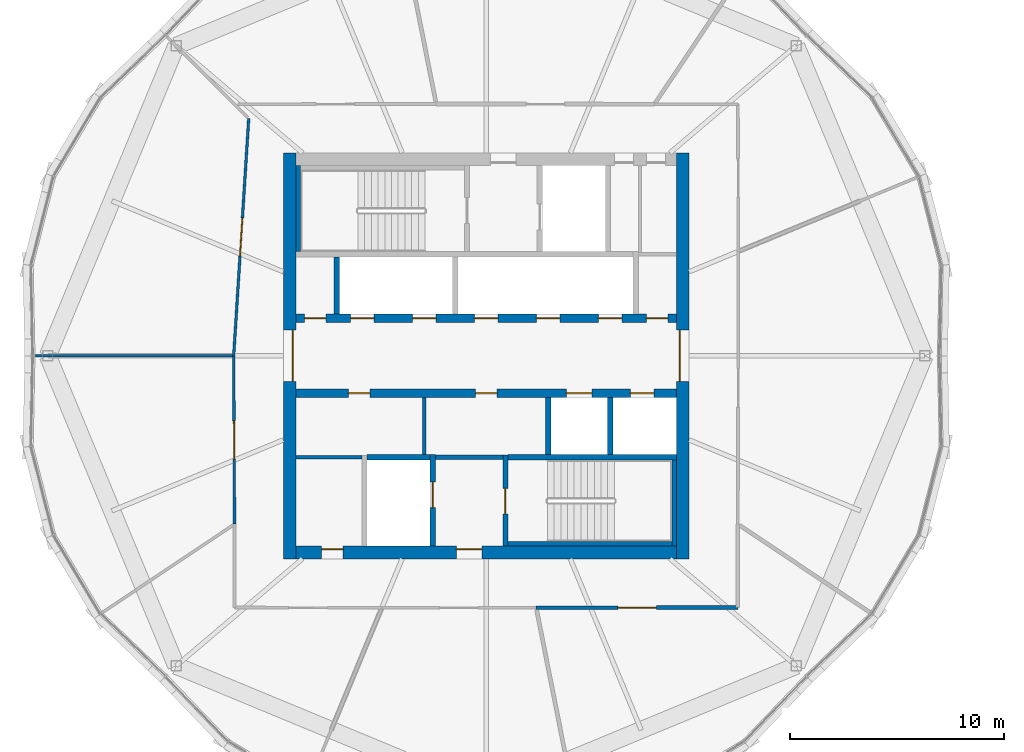
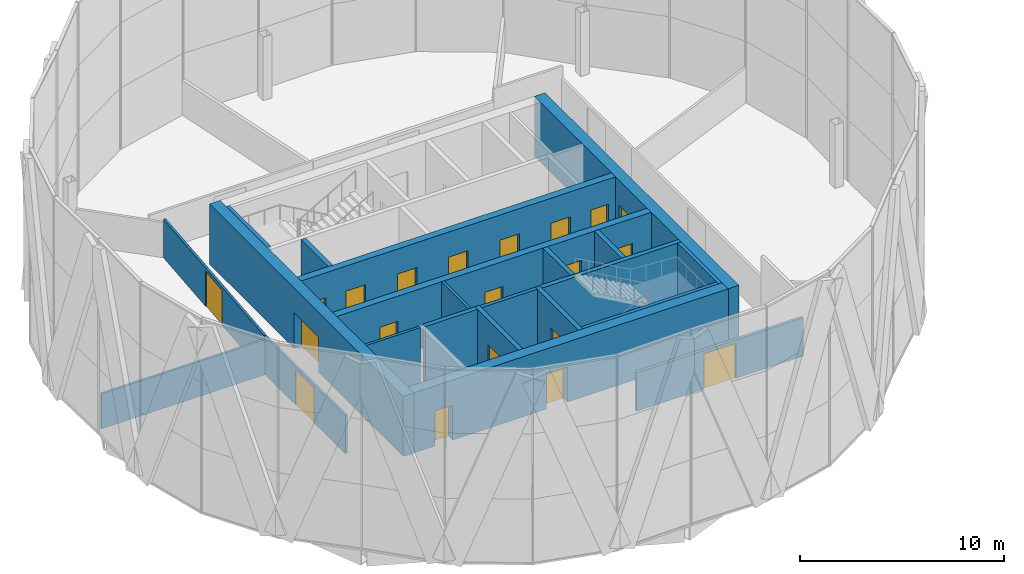
# One storey, part 19 of 25: 22 walls, 20 doors, 20 openings.
"""IFC4 building model written with IfcOpenShell, lengths in metres."""

from ifc_helpers import new_model, si_unit, direction, frame, frame_2d, origin, place, context, subcontext, project, spatial, rectangle, extrude, material, layer, layer_set, type_object, element, fill, save


model = new_model("IFC4")

# Units and contexts
model_context = context("Model", 3, precision=1e-05, world=origin(), true_north=direction((0.0, 1.0)))
body_context = subcontext(model_context, "Body", "Model", "MODEL_VIEW")
ifc_project = project(units=[si_unit("LENGTHUNIT", "METRE"), si_unit("AREAUNIT", "SQUARE_METRE"), si_unit("VOLUMEUNIT", "CUBIC_METRE"), si_unit("PLANEANGLEUNIT", "RADIAN"), si_unit("MASSUNIT", "GRAM", prefix="KILO")], contexts=[model_context])

# Site, building, storey
site_placement = place(None, origin())
site = spatial("IfcSite", under=ifc_project, at=site_placement, CompositionType="ELEMENT")
building_placement = place(site_placement, origin())
building = spatial("IfcBuilding", under=site, at=building_placement, Name="Ogive Gate Towers", CompositionType="ELEMENT")
storey_placement = place(building_placement, frame((0.0, 0.0, 196.800048828125)))
storey = spatial("IfcBuildingStorey", under=building, at=storey_placement, Name="L47", CompositionType="ELEMENT", Elevation=196.800048828125)

# Wall, opening, door
ifc_material_1 = material(Name="Gypsum board acoustic partition")
ifc_layer_1 = layer(ifc_material_1, 0.175048828125)
ifc_layer_set_1 = layer_set([ifc_layer_1], Name="Acoustic partition 175")
wall_type_1 = type_object("IfcWallType", Name="Acoustic partition 175", PredefinedType="PARTITIONING", material=ifc_layer_set_1)
wall_1_placement = place(storey_placement, frame((-33.659423828125, -11.79052734375, 0.0), z_axis=(0.0, 0.0, 1.0), x_axis=(0.999999381567, 0.001112144977, 0.0)))
wall_1 = element("IfcWall", 1, at=wall_1_placement, inside=storey, type_object=wall_type_1, Name="Partition T1-L47-014", PredefinedType="PARTITIONING", context=body_context, shape_type="SweptSolid", body=[
    extrude(rectangle(XDim=9.439453125, YDim=0.175048828125, at=frame_2d((4.7197265625, 0.0))), origin(), (0.0, 0.0, 1.0), 2.300048828125),
])
opening_1_placement = place(wall_1_placement, frame((3.820068359375, 0.0, 0.0)))
opening_1 = element("IfcOpeningElement", 2, at=opening_1_placement, cuts=wall_1, Name="Opening T1-L47-D04", PredefinedType="OPENING", context=body_context, shape_type="SweptSolid", body=[
    extrude(rectangle(XDim=1.800048828125, YDim=2.10009765625, at=frame_2d((0.89990234375, 1.050048828125))), frame((0.0, 0.09765625, 0.0), z_axis=(0.0, -1.0, 0.0), x_axis=(1.0, 0.0, 0.0)), (0.0, 0.0, 1.0), 0.195068359375),
])
ifc_material_2 = material(Name="Timber door", Category="wood")
door_type_1 = type_object("IfcDoorType", Name="Door pair 1800", OperationType="NOTDEFINED", PredefinedType="DOOR", material=ifc_material_2)
door_1_placement = place(opening_1_placement, origin())
door_1 = element("IfcDoor", 3, at=door_1_placement, inside=storey, type_object=door_type_1, Name="Door T1-L47-D04", OperationType="DOUBLE_DOOR_DOUBLE_SWING", OverallHeight=2.10009765625, OverallWidth=1.800048828125, PredefinedType="DOOR", context=body_context, shape_type="SweptSolid", body=[
    extrude(rectangle(XDim=1.800048828125, YDim=2.10009765625, at=frame_2d((0.89990234375, 1.050048828125))), frame((0.0, 0.02490234375, 0.0), z_axis=(0.0, -1.0, 0.0), x_axis=(1.0, 0.0, 0.0)), (0.0, 0.0, 1.0), 0.050048828125),
])
fill(opening_1, door_1)

# Wall
ifc_material_3 = material(Name="Masonry blockwork", Category="masonry")
ifc_layer_2 = layer(ifc_material_3, 0.199951171875)
ifc_layer_set_2 = layer_set([ifc_layer_2], Name="Blockwork wall 200 mm")
wall_type_2 = type_object("IfcWallType", Name="Blockwork wall 200 mm", PredefinedType="PARTITIONING", material=ifc_layer_set_2)
wall_2_placement = place(storey_placement, frame((-38.375, -4.75, 0.0), z_axis=(0.0, 0.0, 1.0), x_axis=(1.0, 0.0, 0.0)))
element("IfcWall", 4, at=wall_2_placement, inside=storey, type_object=wall_type_2, Name="T1 L47 Blockwork wall 200 mm", PredefinedType="PARTITIONING", context=body_context, shape_type="SweptSolid", body=[
    extrude(rectangle(XDim=3.14990234375, YDim=0.199951171875, at=frame_2d((1.574951171875, 0.0))), origin(), (0.0, 0.0, 1.0), 3.599853515625),
])

# Wall, openings, doors
ifc_material_4 = material(Name="Concrete C60/75", Category="concrete")
ifc_layer_3 = layer(ifc_material_4, 0.60009765625)
ifc_layer_set_3 = layer_set([ifc_layer_3], Name="Core wall 600 mm")
wall_type_3 = type_object("IfcWallType", Name="Core wall 600 mm", PredefinedType="SHEAR", material=ifc_layer_set_3)
wall_3_placement = place(storey_placement, frame((-44.89990234375, -9.199951171875, 0.0), z_axis=(0.0, 0.0, 1.0), x_axis=(1.0, 0.0, 0.0)))
wall_3 = element("IfcWall", 5, at=wall_3_placement, inside=storey, type_object=wall_type_3, Name="T1 L47 Core wall 600 mm", PredefinedType="SHEAR", context=body_context, shape_type="SweptSolid", body=[
    extrude(rectangle(XDim=17.7998046875, YDim=0.60009765625, at=frame_2d((8.89990234375, 0.0))), origin(), (0.0, 0.0, 1.0), 3.599853515625),
])
opening_2_placement = place(wall_3_placement, frame((7.5, 0.0, 0.0)))
opening_2 = element("IfcOpeningElement", 6, at=opening_2_placement, cuts=wall_3, Name="Opening KD-T1-L47-19", PredefinedType="OPENING", context=body_context, shape_type="SweptSolid", body=[
    extrude(rectangle(XDim=1.199951171875, YDim=2.10009765625, at=frame_2d((0.60009765625, 1.050048828125))), frame((0.0, 0.31005859375, 0.0), z_axis=(0.0, -1.0, 0.0), x_axis=(1.0, 0.0, 0.0)), (0.0, 0.0, 1.0), 0.6201171875),
])
opening_3_placement = place(wall_3_placement, frame((1.199951171875, 0.0, 0.0)))
opening_3 = element("IfcOpeningElement", 7, at=opening_3_placement, cuts=wall_3, Name="Opening KD-T1-L47-22", PredefinedType="OPENING", context=body_context, shape_type="SweptSolid", body=[
    extrude(rectangle(XDim=1.0, YDim=2.10009765625, at=frame_2d((0.5, 1.050048828125))), frame((0.0, 0.31005859375, 0.0), z_axis=(0.0, -1.0, 0.0), x_axis=(1.0, 0.0, 0.0)), (0.0, 0.0, 1.0), 0.6201171875),
])
door_type_2 = type_object("IfcDoorType", Name="Accessible WC door 1000 x 2100", OperationType="NOTDEFINED", PredefinedType="DOOR", material=ifc_material_2)
door_2_placement = place(opening_3_placement, origin())
door_2 = element("IfcDoor", 8, at=door_2_placement, inside=storey, type_object=door_type_2, Name="T1 L47 Core door", OperationType="SINGLE_SWING_LEFT", OverallHeight=2.10009765625, OverallWidth=1.0, PredefinedType="DOOR", context=body_context, shape_type="SweptSolid", body=[
    extrude(rectangle(XDim=1.0, YDim=2.10009765625, at=frame_2d((0.5, 1.050048828125))), frame((0.0, 0.1748046875, 0.0), z_axis=(0.0, -1.0, 0.0), x_axis=(1.0, 0.0, 0.0)), (0.0, 0.0, 1.0), 0.050048828125),
])
fill(opening_3, door_2)
ifc_material_5 = material(Name="Steel fire door", Category="steel")
door_type_3 = type_object("IfcDoorType", Name="Core door FD60S 1200 x 2100", OperationType="NOTDEFINED", PredefinedType="DOOR", material=ifc_material_5)
door_3_placement = place(opening_2_placement, origin())
door_3 = element("IfcDoor", 9, at=door_3_placement, inside=storey, type_object=door_type_3, Name="T1 L47 Fire-fighting lobby door", OperationType="SINGLE_SWING_RIGHT", OverallHeight=2.10009765625, OverallWidth=1.199951171875, PredefinedType="DOOR", context=body_context, shape_type="SweptSolid", body=[
    extrude(rectangle(XDim=1.199951171875, YDim=2.10009765625, at=frame_2d((0.60009765625, 1.050048828125))), frame((0.0, 0.1748046875, 0.0), z_axis=(0.0, -1.0, 0.0), x_axis=(1.0, 0.0, 0.0)), (0.0, 0.0, 1.0), 0.050048828125),
])
fill(opening_2, door_3)

# Wall, opening, door
wall_4_placement = place(storey_placement, frame((-45.199951171875, -9.5, 0.0), z_axis=(0.0, 0.0, 1.0), x_axis=(0.0, 1.0, 0.0)))
wall_4 = element("IfcWall", 10, at=wall_4_placement, inside=storey, type_object=wall_type_3, Name="T1 L47 Core wall 600 mm", PredefinedType="SHEAR", context=body_context, shape_type="SweptSolid", body=[
    extrude(rectangle(XDim=19.0, YDim=0.60009765625, at=frame_2d((9.5, 0.0))), origin(), (0.0, 0.0, 1.0), 3.599853515625),
])
opening_4_placement = place(wall_4_placement, frame((8.300048828125, 0.0, 0.0)))
opening_4 = element("IfcOpeningElement", 11, at=opening_4_placement, cuts=wall_4, Name="Opening KD-T1-L47-01", PredefinedType="OPENING", context=body_context, shape_type="SweptSolid", body=[
    extrude(rectangle(XDim=2.39990234375, YDim=2.10009765625, at=frame_2d((1.199951171875, 1.050048828125))), frame((0.0, 0.31005859375, 0.0), z_axis=(0.0, -1.0, 0.0), x_axis=(1.0, 0.0, 0.0)), (0.0, 0.0, 1.0), 0.6201171875),
])
door_type_4 = type_object("IfcDoorType", Name="Core double door FD60S 2400 x 2100", OperationType="DOUBLE_DOOR_SINGLE_SWING", PredefinedType="DOOR", material=ifc_material_5)
door_4_placement = place(opening_4_placement, origin())
door_4 = element("IfcDoor", 12, at=door_4_placement, inside=storey, type_object=door_type_4, Name="T1 L47 Core door double", OperationType="DOUBLE_DOOR_SINGLE_SWING", OverallHeight=2.10009765625, OverallWidth=2.39990234375, PredefinedType="DOOR", context=body_context, shape_type="SweptSolid", body=[
    extrude(rectangle(XDim=2.39990234375, YDim=2.10009765625, at=frame_2d((1.199951171875, 1.050048828125))), frame((0.0, -0.125, 0.0), z_axis=(0.0, -1.0, 0.0), x_axis=(1.0, 0.0, 0.0)), (0.0, 0.0, 1.0), 0.050048828125),
])
fill(opening_4, door_4)

wall_5_placement = place(storey_placement, frame((-26.800048828125, -9.5, 0.0), z_axis=(0.0, 0.0, 1.0), x_axis=(0.0, 1.0, 0.0)))
wall_5 = element("IfcWall", 13, at=wall_5_placement, inside=storey, type_object=wall_type_3, Name="T1 L47 Core wall 600 mm", PredefinedType="SHEAR", context=body_context, shape_type="SweptSolid", body=[
    extrude(rectangle(XDim=19.0, YDim=0.60009765625, at=frame_2d((9.5, 0.0))), origin(), (0.0, 0.0, 1.0), 3.599853515625),
])
opening_5_placement = place(wall_5_placement, frame((8.300048828125, 0.0, 0.0)))
opening_5 = element("IfcOpeningElement", 14, at=opening_5_placement, cuts=wall_5, Name="Opening KD-T1-L47-02", PredefinedType="OPENING", context=body_context, shape_type="SweptSolid", body=[
    extrude(rectangle(XDim=2.39990234375, YDim=2.10009765625, at=frame_2d((1.199951171875, 1.050048828125))), frame((0.0, 0.31005859375, 0.0), z_axis=(0.0, -1.0, 0.0), x_axis=(1.0, 0.0, 0.0)), (0.0, 0.0, 1.0), 0.6201171875),
])
door_5_placement = place(opening_5_placement, origin())
door_5 = element("IfcDoor", 15, at=door_5_placement, inside=storey, type_object=door_type_4, Name="T1 L47 Core door double", OperationType="DOUBLE_DOOR_SINGLE_SWING", OverallHeight=2.10009765625, OverallWidth=2.39990234375, PredefinedType="DOOR", context=body_context, shape_type="SweptSolid", body=[
    extrude(rectangle(XDim=2.39990234375, YDim=2.10009765625, at=frame_2d((1.199951171875, 1.050048828125))), frame((0.0, 0.1748046875, 0.0), z_axis=(0.0, -1.0, 0.0), x_axis=(1.0, 0.0, 0.0)), (0.0, 0.0, 1.0), 0.050048828125),
])
fill(opening_5, door_5)

# Wall
ifc_material_6 = material(Name="Gypsum board partition")
ifc_layer_4 = layer(ifc_material_6, 0.125)
ifc_layer_set_4 = layer_set([ifc_layer_4], Name="Partition 125")
wall_type_4 = type_object("IfcWallType", Name="Partition 125", PredefinedType="PARTITIONING", material=ifc_layer_set_4)
wall_6_placement = place(storey_placement, frame((-57.118896484375, 0.0, 0.0), z_axis=(0.0, 0.0, 1.0), x_axis=(1.0, 0.0, 0.0)))
element("IfcWall", 16, at=wall_6_placement, inside=storey, type_object=wall_type_4, Name="Partition T1-L47-005", PredefinedType="PARTITIONING", context=body_context, shape_type="SweptSolid", body=[
    extrude(rectangle(XDim=9.236328125, YDim=0.125, at=frame_2d((4.6181640625, 0.0))), origin(), (0.0, 0.0, 1.0), 2.099853515625),
])

# Wall, opening, door
wall_7_placement = place(storey_placement, frame((-47.820068359375, 0.0, 0.0), z_axis=(0.0, 0.0, 1.0), x_axis=(0.005175817855, -0.999986605365, 0.0)))
wall_7 = element("IfcWall", 17, at=wall_7_placement, inside=storey, type_object=wall_type_4, Name="Partition T1-L47-010", PredefinedType="PARTITIONING", context=body_context, shape_type="SweptSolid", body=[
    extrude(rectangle(XDim=7.877197265625, YDim=0.125, at=frame_2d((3.9384765625, 0.0))), origin(), (0.0, 0.0, 1.0), 2.300048828125),
])
opening_6_placement = place(wall_7_placement, frame((3.0390625, 0.0, 0.0)))
opening_6 = element("IfcOpeningElement", 18, at=opening_6_placement, cuts=wall_7, Name="Opening T1-L47-D01", PredefinedType="OPENING", context=body_context, shape_type="SweptSolid", body=[
    extrude(rectangle(XDim=1.800048828125, YDim=2.10009765625, at=frame_2d((0.89990234375, 1.050048828125))), frame((0.0, 0.072509765625, 0.0), z_axis=(0.0, -1.0, 0.0), x_axis=(1.0, 0.0, 0.0)), (0.0, 0.0, 1.0), 0.14501953125),
])
door_6_placement = place(opening_6_placement, origin())
door_6 = element("IfcDoor", 19, at=door_6_placement, inside=storey, type_object=door_type_1, Name="Door T1-L47-D01", OperationType="DOUBLE_DOOR_DOUBLE_SWING", OverallHeight=2.10009765625, OverallWidth=1.800048828125, PredefinedType="DOOR", context=body_context, shape_type="SweptSolid", body=[
    extrude(rectangle(XDim=1.800048828125, YDim=2.10009765625, at=frame_2d((0.89990234375, 1.050048828125))), frame((0.0, 0.02490234375, 0.0), z_axis=(0.0, -1.0, 0.0), x_axis=(1.0, 0.0, 0.0)), (0.0, 0.0, 1.0), 0.050048828125),
])
fill(opening_6, door_6)

wall_8_placement = place(storey_placement, frame((-47.11572265625, 11.11572265625, 0.0), z_axis=(0.0, 0.0, 1.0), x_axis=(-0.063237988172, -0.997998475376, 0.0)))
wall_8 = element("IfcWall", 20, at=wall_8_placement, inside=storey, type_object=wall_type_4, Name="Partition T1-L47-021", PredefinedType="PARTITIONING", context=body_context, shape_type="SweptSolid", body=[
    extrude(rectangle(XDim=11.137939453125, YDim=0.125, at=frame_2d((5.56884765625, 0.0))), origin(), (0.0, 0.0, 1.0), 2.300048828125),
])
opening_7_placement = place(wall_8_placement, frame((4.6689453125, 0.0, 0.0)))
opening_7 = element("IfcOpeningElement", 21, at=opening_7_placement, cuts=wall_8, Name="Opening T1-L47-D09", PredefinedType="OPENING", context=body_context, shape_type="SweptSolid", body=[
    extrude(rectangle(XDim=1.800048828125, YDim=2.10009765625, at=frame_2d((0.89990234375, 1.050048828125))), frame((0.0, 0.072509765625, 0.0), z_axis=(0.0, -1.0, 0.0), x_axis=(1.0, 0.0, 0.0)), (0.0, 0.0, 1.0), 0.14501953125),
])
door_7_placement = place(opening_7_placement, origin())
door_7 = element("IfcDoor", 22, at=door_7_placement, inside=storey, type_object=door_type_1, Name="Door T1-L47-D09", OperationType="DOUBLE_DOOR_DOUBLE_SWING", OverallHeight=2.10009765625, OverallWidth=1.800048828125, PredefinedType="DOOR", context=body_context, shape_type="SweptSolid", body=[
    extrude(rectangle(XDim=1.800048828125, YDim=2.10009765625, at=frame_2d((0.89990234375, 1.050048828125))), frame((0.0, 0.02490234375, 0.0), z_axis=(0.0, -1.0, 0.0), x_axis=(1.0, 0.0, 0.0)), (0.0, 0.0, 1.0), 0.050048828125),
])
fill(opening_7, door_7)

# Walls
ifc_layer_5 = layer(ifc_material_6, 0.14990234375)
ifc_layer_set_5 = layer_set([ifc_layer_5], Name="Room partition 150 mm")
wall_type_5 = type_object("IfcWallType", Name="Room partition 150 mm", PredefinedType="PARTITIONING", material=ifc_layer_set_5)
wall_9_placement = place(storey_placement, frame((-44.89990234375, -4.75, 0.0), z_axis=(0.0, 0.0, 1.0), x_axis=(1.0, 0.0, 0.0)))
element("IfcWall", 23, at=wall_9_placement, inside=storey, type_object=wall_type_5, Name="T1 L47 Room partition 150 mm", PredefinedType="PARTITIONING", context=body_context, shape_type="SweptSolid", body=[
    extrude(rectangle(XDim=3.074951171875, YDim=0.14990234375, at=frame_2d((1.53759765625, 0.0))), origin(), (0.0, 0.0, 1.0), 3.599853515625),
])
wall_10_placement = place(storey_placement, frame((-38.89990234375, -4.625, 0.0), z_axis=(0.0, 0.0, 1.0), x_axis=(0.0, 1.0, 0.0)))
element("IfcWall", 24, at=wall_10_placement, inside=storey, type_object=wall_type_5, Name="T1 L47 Room partition 150 mm", PredefinedType="PARTITIONING", context=body_context, shape_type="SweptSolid", body=[
    extrude(rectangle(XDim=2.675048828125, YDim=0.14990234375, at=frame_2d((1.33740234375, 0.0))), origin(), (0.0, 0.0, 1.0), 3.599853515625),
])
ifc_layer_6 = layer(ifc_material_4, 0.25)
ifc_layer_set_6 = layer_set([ifc_layer_6], Name="Shaft wall 250 mm")
wall_type_6 = type_object("IfcWallType", Name="Shaft wall 250 mm", PredefinedType="SHEAR", material=ifc_layer_set_6)
wall_11_placement = place(storey_placement, frame((-41.574951171875, -4.75, 0.0), z_axis=(0.0, 0.0, 1.0), x_axis=(1.0, 0.0, 0.0)))
element("IfcWall", 25, at=wall_11_placement, inside=storey, type_object=wall_type_6, Name="T1 L47 Shaft wall 250 mm", PredefinedType="SHEAR", context=body_context, shape_type="SweptSolid", body=[
    extrude(rectangle(XDim=2.949951171875, YDim=0.25, at=frame_2d((1.47509765625, 0.0))), origin(), (0.0, 0.0, 1.0), 3.599853515625),
])
wall_12_placement = place(storey_placement, frame((-34.97509765625, -4.75, 0.0), z_axis=(0.0, 0.0, 1.0), x_axis=(1.0, 0.0, 0.0)))
element("IfcWall", 26, at=wall_12_placement, inside=storey, type_object=wall_type_6, Name="T1 L47 Shaft wall 250 mm", PredefinedType="SHEAR", context=body_context, shape_type="SweptSolid", body=[
    extrude(rectangle(XDim=7.875, YDim=0.25, at=frame_2d((3.9375, 0.0))), origin(), (0.0, 0.0, 1.0), 3.599853515625),
])
wall_13_placement = place(storey_placement, frame((-43.0, 1.949951171875, 0.0), z_axis=(0.0, 0.0, 1.0), x_axis=(0.0, 1.0, 0.0)))
element("IfcWall", 27, at=wall_13_placement, inside=storey, type_object=wall_type_6, Name="T1 L47 Shaft wall 250 mm", PredefinedType="SHEAR", context=body_context, shape_type="SweptSolid", body=[
    extrude(rectangle(XDim=2.675048828125, YDim=0.25, at=frame_2d((1.33740234375, 0.0))), origin(), (0.0, 0.0, 1.0), 3.599853515625),
])

# Wall, opening, door
wall_14_placement = place(storey_placement, frame((-38.5, -8.89990234375, 0.0), z_axis=(0.0, 0.0, 1.0), x_axis=(0.0, 1.0, 0.0)))
wall_14 = element("IfcWall", 28, at=wall_14_placement, inside=storey, type_object=wall_type_6, Name="T1 L47 Shaft wall 250 mm", PredefinedType="SHEAR", context=body_context, shape_type="SweptSolid", body=[
    extrude(rectangle(XDim=4.27490234375, YDim=0.25, at=frame_2d((2.137451171875, 0.0))), origin(), (0.0, 0.0, 1.0), 3.599853515625),
])
opening_8_placement = place(wall_14_placement, frame((1.800048828125, 0.0, 0.0)))
opening_8 = element("IfcOpeningElement", 29, at=opening_8_placement, cuts=wall_14, Name="Opening LD-T1-L47-13", PredefinedType="OPENING", context=body_context, shape_type="SweptSolid", body=[
    extrude(rectangle(XDim=1.199951171875, YDim=2.10009765625, at=frame_2d((0.60009765625, 1.050048828125))), frame((0.0, 0.135009765625, 0.0), z_axis=(0.0, -1.0, 0.0), x_axis=(1.0, 0.0, 0.0)), (0.0, 0.0, 1.0), 0.27001953125),
])
ifc_material_7 = material(Name="Stainless steel landing door", Category="steel")
door_type_5 = type_object("IfcDoorType", Name="Landing door 1200 x 2100", OperationType="SLIDING_TO_LEFT", PredefinedType="DOOR", material=ifc_material_7)
door_8_placement = place(opening_8_placement, origin())
door_8 = element("IfcDoor", 30, at=door_8_placement, inside=storey, type_object=door_type_5, Name="T1 L47 Lift landing door FF2", OperationType="SLIDING_TO_LEFT", OverallHeight=2.10009765625, OverallWidth=1.199951171875, PredefinedType="DOOR", context=body_context, shape_type="SweptSolid", body=[
    extrude(rectangle(XDim=1.199951171875, YDim=2.10009765625, at=frame_2d((0.60009765625, 1.050048828125))), frame((0.0, 0.02490234375, 0.0), z_axis=(0.0, -1.0, 0.0), x_axis=(1.0, 0.0, 0.0)), (0.0, 0.0, 1.0), 0.050048828125),
])
fill(opening_8, door_8)

wall_15_placement = place(storey_placement, frame((-35.10009765625, -8.89990234375, 0.0), z_axis=(0.0, 0.0, 1.0), x_axis=(0.0, 1.0, 0.0)))
wall_15 = element("IfcWall", 31, at=wall_15_placement, inside=storey, type_object=wall_type_6, Name="T1 L47 Shaft wall 250 mm", PredefinedType="SHEAR", context=body_context, shape_type="SweptSolid", body=[
    extrude(rectangle(XDim=4.25, YDim=0.25, at=frame_2d((2.125, 0.0))), origin(), (0.0, 0.0, 1.0), 3.599853515625),
])
opening_9_placement = place(wall_15_placement, frame((1.5, 0.0, 0.0)))
opening_9 = element("IfcOpeningElement", 32, at=opening_9_placement, cuts=wall_15, Name="Opening KD-T1-L47-17", PredefinedType="OPENING", context=body_context, shape_type="SweptSolid", body=[
    extrude(rectangle(XDim=1.199951171875, YDim=2.10009765625, at=frame_2d((0.60009765625, 1.050048828125))), frame((0.0, 0.135009765625, 0.0), z_axis=(0.0, -1.0, 0.0), x_axis=(1.0, 0.0, 0.0)), (0.0, 0.0, 1.0), 0.27001953125),
])
door_9_placement = place(opening_9_placement, origin())
door_9 = element("IfcDoor", 33, at=door_9_placement, inside=storey, type_object=door_type_3, Name="T1 L47 Stair door", OperationType="SINGLE_SWING_RIGHT", OverallHeight=2.10009765625, OverallWidth=1.199951171875, PredefinedType="DOOR", context=body_context, shape_type="SweptSolid", body=[
    extrude(rectangle(XDim=1.199951171875, YDim=2.10009765625, at=frame_2d((0.60009765625, 1.050048828125))), frame((0.0, 0.02490234375, 0.0), z_axis=(0.0, -1.0, 0.0), x_axis=(1.0, 0.0, 0.0)), (0.0, 0.0, 1.0), 0.050048828125),
])
fill(opening_9, door_9)

# Walls
for number, where, z_axis, x_axis, name in (
    (34, (-33.10009765625, -4.625, 0.0), (0.0, 0.0, 1.0), (0.0, 1.0, 0.0), "T1 L47 Shaft wall 250 mm"),
    (35, (-30.199951171875, -4.625, 0.0), (0.0, 0.0, 1.0), (0.0, 1.0, 0.0), "T1 L47 Shaft wall 250 mm"),
):
    element("IfcWall", number, at=place(storey_placement, frame(where, z_axis=z_axis, x_axis=x_axis)), inside=storey, type_object=wall_type_6, Name=name, PredefinedType="SHEAR", context=body_context, shape_type="SweptSolid", body=[
        extrude(rectangle(XDim=2.675048828125, YDim=0.25, at=frame_2d((1.33740234375, 0.0))), origin(), (0.0, 0.0, 1.0), 3.599853515625),
    ])

# Wall, openings, doors
ifc_layer_7 = layer(ifc_material_4, 0.39990234375)
ifc_layer_set_7 = layer_set([ifc_layer_7], Name="Spine wall 400 mm")
wall_type_7 = type_object("IfcWallType", Name="Spine wall 400 mm", PredefinedType="SHEAR", material=ifc_layer_set_7)
wall_16_placement = place(storey_placement, frame((-44.89990234375, -1.75, 0.0), z_axis=(0.0, 0.0, 1.0), x_axis=(1.0, 0.0, 0.0)))
wall_16 = element("IfcWall", 36, at=wall_16_placement, inside=storey, type_object=wall_type_7, Name="T1 L47 Spine wall 400 mm", PredefinedType="SHEAR", context=body_context, shape_type="SweptSolid", body=[
    extrude(rectangle(XDim=17.7998046875, YDim=0.39990234375, at=frame_2d((8.89990234375, 0.0))), origin(), (0.0, 0.0, 1.0), 3.599853515625),
])
opening_10_placement = place(wall_16_placement, frame((12.64990234375, 0.0, 0.0)))
opening_10 = element("IfcOpeningElement", 37, at=opening_10_placement, cuts=wall_16, Name="Opening LD-T1-L47-10", PredefinedType="OPENING", context=body_context, shape_type="SweptSolid", body=[
    extrude(rectangle(XDim=1.199951171875, YDim=2.10009765625, at=frame_2d((0.60009765625, 1.050048828125))), frame((0.0, 0.2099609375, 0.0), z_axis=(0.0, -1.0, 0.0), x_axis=(1.0, 0.0, 0.0)), (0.0, 0.0, 1.0), 0.419921875),
])
opening_11_placement = place(wall_16_placement, frame((15.64990234375, 0.0, 0.0)))
opening_11 = element("IfcOpeningElement", 38, at=opening_11_placement, cuts=wall_16, Name="Opening LD-T1-L47-11", PredefinedType="OPENING", context=body_context, shape_type="SweptSolid", body=[
    extrude(rectangle(XDim=1.10009765625, YDim=2.10009765625, at=frame_2d((0.550048828125, 1.050048828125))), frame((0.0, 0.2099609375, 0.0), z_axis=(0.0, -1.0, 0.0), x_axis=(1.0, 0.0, 0.0)), (0.0, 0.0, 1.0), 0.419921875),
])
opening_12_placement = place(wall_16_placement, frame((2.449951171875, 0.0, 0.0)))
opening_12 = element("IfcOpeningElement", 39, at=opening_12_placement, cuts=wall_16, Name="Opening KD-T1-L47-14", PredefinedType="OPENING", context=body_context, shape_type="SweptSolid", body=[
    extrude(rectangle(XDim=1.0, YDim=2.10009765625, at=frame_2d((0.5, 1.050048828125))), frame((0.0, 0.2099609375, 0.0), z_axis=(0.0, -1.0, 0.0), x_axis=(1.0, 0.0, 0.0)), (0.0, 0.0, 1.0), 0.419921875),
])
opening_13_placement = place(wall_16_placement, frame((8.39990234375, 0.0, 0.0)))
opening_13 = element("IfcOpeningElement", 40, at=opening_13_placement, cuts=wall_16, Name="Opening KD-T1-L47-15", PredefinedType="OPENING", context=body_context, shape_type="SweptSolid", body=[
    extrude(rectangle(XDim=1.0, YDim=2.10009765625, at=frame_2d((0.5, 1.050048828125))), frame((0.0, 0.2099609375, 0.0), z_axis=(0.0, -1.0, 0.0), x_axis=(1.0, 0.0, 0.0)), (0.0, 0.0, 1.0), 0.419921875),
])
door_type_6 = type_object("IfcDoorType", Name="Core door FD60S 1000 x 2100", OperationType="NOTDEFINED", PredefinedType="DOOR", material=ifc_material_5)
door_10_placement = place(opening_12_placement, origin())
door_10 = element("IfcDoor", 41, at=door_10_placement, inside=storey, type_object=door_type_6, Name="T1 L47 Core door", OperationType="SINGLE_SWING_LEFT", OverallHeight=2.10009765625, OverallWidth=1.0, PredefinedType="DOOR", context=body_context, shape_type="SweptSolid", body=[
    extrude(rectangle(XDim=1.0, YDim=2.10009765625, at=frame_2d((0.5, 1.050048828125))), frame((0.0, 0.02490234375, 0.0), z_axis=(0.0, -1.0, 0.0), x_axis=(1.0, 0.0, 0.0)), (0.0, 0.0, 1.0), 0.050048828125),
])
fill(opening_12, door_10)
door_11_placement = place(opening_13_placement, origin())
door_11 = element("IfcDoor", 42, at=door_11_placement, inside=storey, type_object=door_type_6, Name="T1 L47 Core door", OperationType="SINGLE_SWING_RIGHT", OverallHeight=2.10009765625, OverallWidth=1.0, PredefinedType="DOOR", context=body_context, shape_type="SweptSolid", body=[
    extrude(rectangle(XDim=1.0, YDim=2.10009765625, at=frame_2d((0.5, 1.050048828125))), frame((0.0, 0.02490234375, 0.0), z_axis=(0.0, -1.0, 0.0), x_axis=(1.0, 0.0, 0.0)), (0.0, 0.0, 1.0), 0.050048828125),
])
fill(opening_13, door_11)
door_type_7 = type_object("IfcDoorType", Name="Landing door 1100 x 2100", OperationType="SLIDING_TO_LEFT", PredefinedType="DOOR", material=ifc_material_7)
door_12_placement = place(opening_11_placement, origin())
door_12 = element("IfcDoor", 43, at=door_12_placement, inside=storey, type_object=door_type_7, Name="T1 L47 Lift landing door B6", OperationType="SLIDING_TO_LEFT", OverallHeight=2.10009765625, OverallWidth=1.10009765625, PredefinedType="DOOR", context=body_context, shape_type="SweptSolid", body=[
    extrude(rectangle(XDim=1.10009765625, YDim=2.10009765625, at=frame_2d((0.550048828125, 1.050048828125))), frame((0.0, 0.02490234375, 0.0), z_axis=(0.0, -1.0, 0.0), x_axis=(1.0, 0.0, 0.0)), (0.0, 0.0, 1.0), 0.050048828125),
])
fill(opening_11, door_12)
door_13_placement = place(opening_10_placement, origin())
door_13 = element("IfcDoor", 44, at=door_13_placement, inside=storey, type_object=door_type_5, Name="T1 L47 Lift landing door SVC", OperationType="SLIDING_TO_LEFT", OverallHeight=2.10009765625, OverallWidth=1.199951171875, PredefinedType="DOOR", context=body_context, shape_type="SweptSolid", body=[
    extrude(rectangle(XDim=1.199951171875, YDim=2.10009765625, at=frame_2d((0.60009765625, 1.050048828125))), frame((0.0, 0.02490234375, 0.0), z_axis=(0.0, -1.0, 0.0), x_axis=(1.0, 0.0, 0.0)), (0.0, 0.0, 1.0), 0.050048828125),
])
fill(opening_10, door_13)

wall_17_placement = place(storey_placement, frame((-44.89990234375, 1.75, 0.0), z_axis=(0.0, 0.0, 1.0), x_axis=(1.0, 0.0, 0.0)))
wall_17 = element("IfcWall", 45, at=wall_17_placement, inside=storey, type_object=wall_type_7, Name="T1 L47 Spine wall 400 mm", PredefinedType="SHEAR", context=body_context, shape_type="SweptSolid", body=[
    extrude(rectangle(XDim=17.7998046875, YDim=0.39990234375, at=frame_2d((8.89990234375, 0.0))), origin(), (0.0, 0.0, 1.0), 3.599853515625),
])
opening_14_placement = place(wall_17_placement, frame((0.39990234375, 0.0, 0.0)))
opening_14 = element("IfcOpeningElement", 46, at=opening_14_placement, cuts=wall_17, Name="Opening KD-T1-L47-03", PredefinedType="OPENING", context=body_context, shape_type="SweptSolid", body=[
    extrude(rectangle(XDim=1.0, YDim=2.10009765625, at=frame_2d((0.5, 1.050048828125))), frame((0.0, 0.2099609375, 0.0), z_axis=(0.0, -1.0, 0.0), x_axis=(1.0, 0.0, 0.0)), (0.0, 0.0, 1.0), 0.419921875),
])
opening_15_placement = place(wall_17_placement, frame((2.550048828125, 0.0, 0.0)))
opening_15 = element("IfcOpeningElement", 47, at=opening_15_placement, cuts=wall_17, Name="Opening LD-T1-L47-04", PredefinedType="OPENING", context=body_context, shape_type="SweptSolid", body=[
    extrude(rectangle(XDim=1.10009765625, YDim=2.10009765625, at=frame_2d((0.550048828125, 1.050048828125))), frame((0.0, 0.2099609375, 0.0), z_axis=(0.0, -1.0, 0.0), x_axis=(1.0, 0.0, 0.0)), (0.0, 0.0, 1.0), 0.419921875),
])
opening_16_placement = place(wall_17_placement, frame((5.449951171875, 0.0, 0.0)))
opening_16 = element("IfcOpeningElement", 48, at=opening_16_placement, cuts=wall_17, Name="Opening LD-T1-L47-05", PredefinedType="OPENING", context=body_context, shape_type="SweptSolid", body=[
    extrude(rectangle(XDim=1.10009765625, YDim=2.10009765625, at=frame_2d((0.550048828125, 1.050048828125))), frame((0.0, 0.2099609375, 0.0), z_axis=(0.0, -1.0, 0.0), x_axis=(1.0, 0.0, 0.0)), (0.0, 0.0, 1.0), 0.419921875),
])
opening_17_placement = place(wall_17_placement, frame((8.35009765625, 0.0, 0.0)))
opening_17 = element("IfcOpeningElement", 49, at=opening_17_placement, cuts=wall_17, Name="Opening LD-T1-L47-06", PredefinedType="OPENING", context=body_context, shape_type="SweptSolid", body=[
    extrude(rectangle(XDim=1.10009765625, YDim=2.10009765625, at=frame_2d((0.550048828125, 1.050048828125))), frame((0.0, 0.2099609375, 0.0), z_axis=(0.0, -1.0, 0.0), x_axis=(1.0, 0.0, 0.0)), (0.0, 0.0, 1.0), 0.419921875),
])
opening_18_placement = place(wall_17_placement, frame((11.25, 0.0, 0.0)))
opening_18 = element("IfcOpeningElement", 50, at=opening_18_placement, cuts=wall_17, Name="Opening LD-T1-L47-07", PredefinedType="OPENING", context=body_context, shape_type="SweptSolid", body=[
    extrude(rectangle(XDim=1.10009765625, YDim=2.10009765625, at=frame_2d((0.550048828125, 1.050048828125))), frame((0.0, 0.2099609375, 0.0), z_axis=(0.0, -1.0, 0.0), x_axis=(1.0, 0.0, 0.0)), (0.0, 0.0, 1.0), 0.419921875),
])
opening_19_placement = place(wall_17_placement, frame((14.14990234375, 0.0, 0.0)))
opening_19 = element("IfcOpeningElement", 51, at=opening_19_placement, cuts=wall_17, Name="Opening LD-T1-L47-08", PredefinedType="OPENING", context=body_context, shape_type="SweptSolid", body=[
    extrude(rectangle(XDim=1.10009765625, YDim=2.10009765625, at=frame_2d((0.550048828125, 1.050048828125))), frame((0.0, 0.2099609375, 0.0), z_axis=(0.0, -1.0, 0.0), x_axis=(1.0, 0.0, 0.0)), (0.0, 0.0, 1.0), 0.419921875),
])
opening_20_placement = place(wall_17_placement, frame((16.39990234375, 0.0, 0.0)))
opening_20 = element("IfcOpeningElement", 52, at=opening_20_placement, cuts=wall_17, Name="Opening KD-T1-L47-09", PredefinedType="OPENING", context=body_context, shape_type="SweptSolid", body=[
    extrude(rectangle(XDim=1.0, YDim=2.10009765625, at=frame_2d((0.5, 1.050048828125))), frame((0.0, 0.2099609375, 0.0), z_axis=(0.0, -1.0, 0.0), x_axis=(1.0, 0.0, 0.0)), (0.0, 0.0, 1.0), 0.419921875),
])
door_14_placement = place(opening_14_placement, origin())
door_14 = element("IfcDoor", 53, at=door_14_placement, inside=storey, type_object=door_type_6, Name="T1 L47 Core door", OperationType="SINGLE_SWING_RIGHT", OverallHeight=2.10009765625, OverallWidth=1.0, PredefinedType="DOOR", context=body_context, shape_type="SweptSolid", body=[
    extrude(rectangle(XDim=1.0, YDim=2.10009765625, at=frame_2d((0.5, 1.050048828125))), frame((0.0, 0.02490234375, 0.0), z_axis=(0.0, -1.0, 0.0), x_axis=(1.0, 0.0, 0.0)), (0.0, 0.0, 1.0), 0.050048828125),
])
fill(opening_14, door_14)
door_15_placement = place(opening_20_placement, origin())
door_15 = element("IfcDoor", 54, at=door_15_placement, inside=storey, type_object=door_type_6, Name="T1 L47 Core door", OperationType="SINGLE_SWING_RIGHT", OverallHeight=2.10009765625, OverallWidth=1.0, PredefinedType="DOOR", context=body_context, shape_type="SweptSolid", body=[
    extrude(rectangle(XDim=1.0, YDim=2.10009765625, at=frame_2d((0.5, 1.050048828125))), frame((0.0, 0.02490234375, 0.0), z_axis=(0.0, -1.0, 0.0), x_axis=(1.0, 0.0, 0.0)), (0.0, 0.0, 1.0), 0.050048828125),
])
fill(opening_20, door_15)
door_16_placement = place(opening_15_placement, origin())
door_16 = element("IfcDoor", 55, at=door_16_placement, inside=storey, type_object=door_type_7, Name="T1 L47 Lift landing door B1", OperationType="SLIDING_TO_LEFT", OverallHeight=2.10009765625, OverallWidth=1.10009765625, PredefinedType="DOOR", context=body_context, shape_type="SweptSolid", body=[
    extrude(rectangle(XDim=1.10009765625, YDim=2.10009765625, at=frame_2d((0.550048828125, 1.050048828125))), frame((0.0, 0.02490234375, 0.0), z_axis=(0.0, -1.0, 0.0), x_axis=(1.0, 0.0, 0.0)), (0.0, 0.0, 1.0), 0.050048828125),
])
fill(opening_15, door_16)
door_17_placement = place(opening_16_placement, origin())
door_17 = element("IfcDoor", 56, at=door_17_placement, inside=storey, type_object=door_type_7, Name="T1 L47 Lift landing door B2", OperationType="SLIDING_TO_LEFT", OverallHeight=2.10009765625, OverallWidth=1.10009765625, PredefinedType="DOOR", context=body_context, shape_type="SweptSolid", body=[
    extrude(rectangle(XDim=1.10009765625, YDim=2.10009765625, at=frame_2d((0.550048828125, 1.050048828125))), frame((0.0, 0.02490234375, 0.0), z_axis=(0.0, -1.0, 0.0), x_axis=(1.0, 0.0, 0.0)), (0.0, 0.0, 1.0), 0.050048828125),
])
fill(opening_16, door_17)
door_18_placement = place(opening_17_placement, origin())
door_18 = element("IfcDoor", 57, at=door_18_placement, inside=storey, type_object=door_type_7, Name="T1 L47 Lift landing door B3", OperationType="SLIDING_TO_LEFT", OverallHeight=2.10009765625, OverallWidth=1.10009765625, PredefinedType="DOOR", context=body_context, shape_type="SweptSolid", body=[
    extrude(rectangle(XDim=1.10009765625, YDim=2.10009765625, at=frame_2d((0.550048828125, 1.050048828125))), frame((0.0, 0.02490234375, 0.0), z_axis=(0.0, -1.0, 0.0), x_axis=(1.0, 0.0, 0.0)), (0.0, 0.0, 1.0), 0.050048828125),
])
fill(opening_17, door_18)
door_19_placement = place(opening_18_placement, origin())
door_19 = element("IfcDoor", 58, at=door_19_placement, inside=storey, type_object=door_type_7, Name="T1 L47 Lift landing door B4", OperationType="SLIDING_TO_LEFT", OverallHeight=2.10009765625, OverallWidth=1.10009765625, PredefinedType="DOOR", context=body_context, shape_type="SweptSolid", body=[
    extrude(rectangle(XDim=1.10009765625, YDim=2.10009765625, at=frame_2d((0.550048828125, 1.050048828125))), frame((0.0, 0.02490234375, 0.0), z_axis=(0.0, -1.0, 0.0), x_axis=(1.0, 0.0, 0.0)), (0.0, 0.0, 1.0), 0.050048828125),
])
fill(opening_18, door_19)
door_20_placement = place(opening_19_placement, origin())
door_20 = element("IfcDoor", 59, at=door_20_placement, inside=storey, type_object=door_type_7, Name="T1 L47 Lift landing door B5", OperationType="SLIDING_TO_LEFT", OverallHeight=2.10009765625, OverallWidth=1.10009765625, PredefinedType="DOOR", context=body_context, shape_type="SweptSolid", body=[
    extrude(rectangle(XDim=1.10009765625, YDim=2.10009765625, at=frame_2d((0.550048828125, 1.050048828125))), frame((0.0, 0.02490234375, 0.0), z_axis=(0.0, -1.0, 0.0), x_axis=(1.0, 0.0, 0.0)), (0.0, 0.0, 1.0), 0.050048828125),
])
fill(opening_19, door_20)

# Walls
ifc_layer_8 = layer(ifc_material_4, 0.199951171875)
ifc_layer_set_8 = layer_set([ifc_layer_8], Name="Stair wall 200 mm")
wall_type_8 = type_object("IfcWallType", Name="Stair wall 200 mm", PredefinedType="SHEAR", material=ifc_layer_set_8)
wall_18_placement = place(storey_placement, frame((-34.97509765625, -8.800048828125, 0.0), z_axis=(0.0, 0.0, 1.0), x_axis=(1.0, 0.0, 0.0)))
element("IfcWall", 60, at=wall_18_placement, inside=storey, type_object=wall_type_8, Name="T1 L47 Stair wall 200 mm", PredefinedType="SHEAR", context=body_context, shape_type="SweptSolid", body=[
    extrude(rectangle(XDim=7.675048828125, YDim=0.199951171875, at=frame_2d((3.83740234375, 0.0))), origin(), (0.0, 0.0, 1.0), 3.599853515625),
])
for number, where, z_axis, x_axis, name in (
    (61, (-44.800048828125, 4.875, 0.0), (0.0, 0.0, 1.0), (0.0, 1.0, 0.0), "T1 L47 Stair wall 200 mm"),
    (62, (-27.199951171875, -8.89990234375, 0.0), (0.0, 0.0, 1.0), (0.0, 1.0, 0.0), "T1 L47 Stair wall 200 mm"),
):
    element("IfcWall", number, at=place(storey_placement, frame(where, z_axis=z_axis, x_axis=x_axis)), inside=storey, type_object=wall_type_8, Name=name, PredefinedType="SHEAR", context=body_context, shape_type="SweptSolid", body=[
        extrude(rectangle(XDim=4.02490234375, YDim=0.199951171875, at=frame_2d((2.012451171875, 0.0))), origin(), (0.0, 0.0, 1.0), 3.599853515625),
    ])

save(model, "model.ifc")
